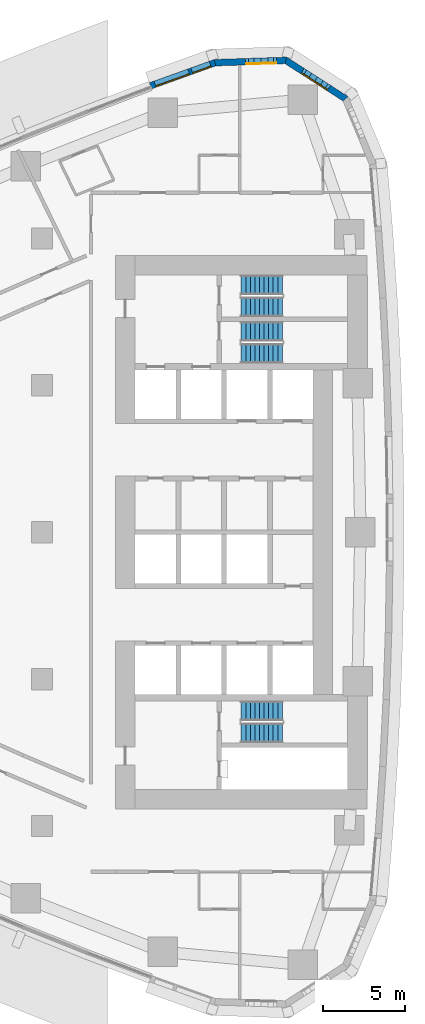
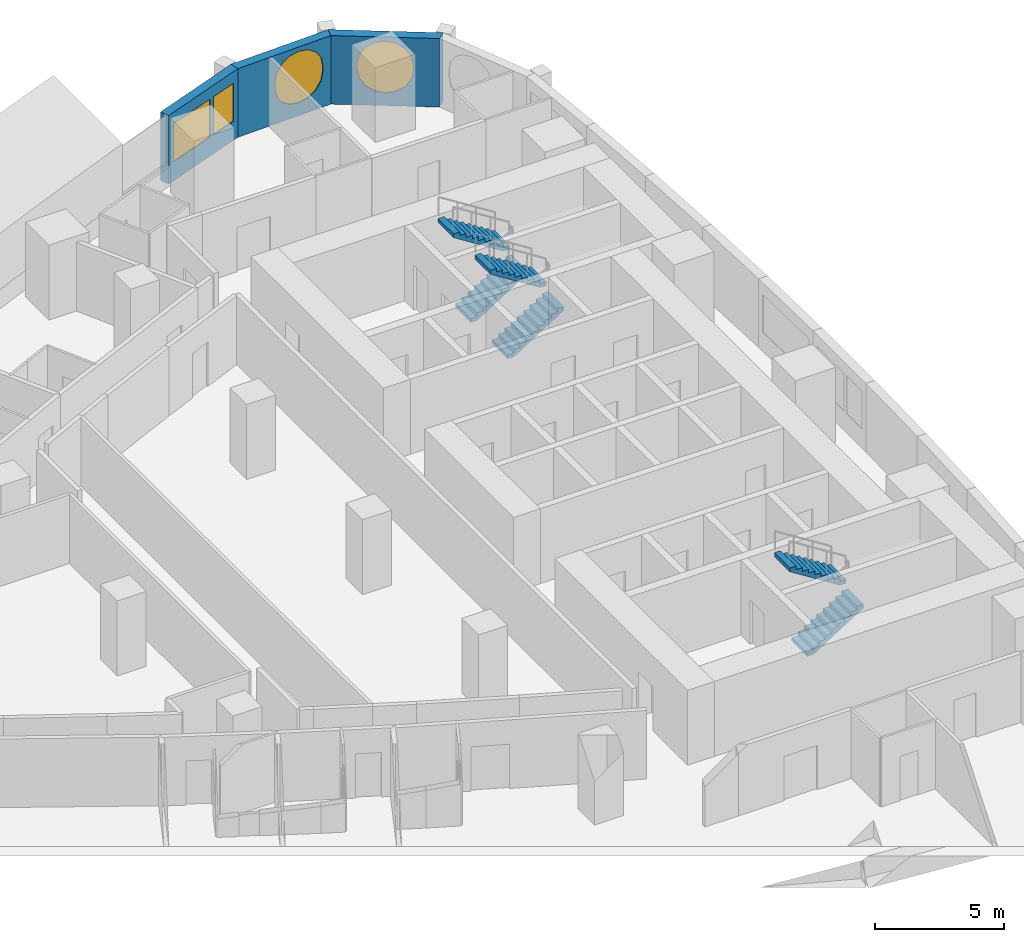
# One storey, part 14 of 19: 6 stair flights, 4 windows, 3 walls, 4 openings, 3 elements without a shape of their own.
"""IFC4 building model written with IfcOpenShell, lengths in metres."""

from ifc_helpers import new_model, si_unit, direction, frame, frame_2d, origin, place, context, subcontext, project, spatial, polyline, rectangle, outline, extrude, material, layer, layer_set, type_object, element, fill, aggregate, save


model = new_model("IFC4")

# Units and contexts
model_context = context("Model", 3, precision=1e-05, world=origin(), true_north=direction((0.0, 1.0)))
body_context = subcontext(model_context, "Body", "Model", "MODEL_VIEW")
ifc_project = project(units=[si_unit("LENGTHUNIT", "METRE"), si_unit("AREAUNIT", "SQUARE_METRE"), si_unit("VOLUMEUNIT", "CUBIC_METRE"), si_unit("PLANEANGLEUNIT", "RADIAN"), si_unit("MASSUNIT", "GRAM", prefix="KILO")], contexts=[model_context])

# Site, building, storey
site_placement = place(None, origin())
site = spatial("IfcSite", under=ifc_project, at=site_placement, CompositionType="ELEMENT")
building_placement = place(site_placement, origin())
building = spatial("IfcBuilding", under=site, at=building_placement, Name="Ostrand Prow Hotel Tower", CompositionType="ELEMENT")
storey_placement = place(building_placement, frame((0.0, 0.0, 39.60009765625)))
storey = spatial("IfcBuildingStorey", under=building, at=storey_placement, Name="L07", CompositionType="ELEMENT", Elevation=39.60009765625)

# Wall, opening, window
ifc_material_1 = material(Name="Precast concrete C40/50", Category="concrete")
ifc_layer = layer(ifc_material_1, 0.39990234375)
ifc_layer_set = layer_set([ifc_layer], Name="Precast concrete C40/50")
wall_type = type_object("IfcWallType", Name="Stone-faced precast wall 400 mm", PredefinedType="NOTDEFINED", material=ifc_layer_set)
wall_1_placement = place(storey_placement, frame((63.58837890625, 26.55810546875, 0.0), z_axis=(0.0, 0.0, 1.0), x_axis=(-0.840937468718, 0.541132307025, 0.0)))
wall_1 = element("IfcWall", 1, at=wall_1_placement, inside=storey, type_object=wall_type, Name="Stone-faced wall back 17", PredefinedType="NOTDEFINED", context=body_context, shape_type="SweptSolid", body=[
    extrude(outline(polyline([(-0.0625, -0.199951171875), (4.40869140625, -0.199951171875), (4.28369140625, 0.199951171875), (0.0625, 0.199951171875), (-0.0625, -0.199951171875)])), origin(), (0.0, 0.0, 1.0), 3.25),
])
opening_1_placement = place(wall_1_placement, frame((1.072998046875, 0.0, 0.60009765625)))
opening_1 = element("IfcOpeningElement", 2, at=opening_1_placement, cuts=wall_1, Name="Opening WP1", PredefinedType="OPENING", context=body_context, shape_type="SweptSolid", body=[
    extrude(outline(polyline([(0.0, 1.35009765625), (0.083740234375, 1.77099609375), (0.322265625, 2.127685546875), (0.678955078125, 2.3662109375), (1.10009765625, 2.449951171875), (1.52099609375, 2.3662109375), (1.877685546875, 2.127685546875), (2.1162109375, 1.77099609375), (2.199951171875, 1.35009765625), (2.199951171875, 1.10009765625), (2.1162109375, 0.678955078125), (1.877685546875, 0.322265625), (1.52099609375, 0.083740234375), (1.10009765625, 0.0), (0.678955078125, 0.083740234375), (0.322265625, 0.322265625), (0.083740234375, 0.678955078125), (0.0, 1.099853515625), (0.0, 1.35009765625)])), frame((0.0, 0.2099609375, 0.0), z_axis=(0.0, -1.0, 0.0), x_axis=(1.0, 0.0, 0.0)), (0.0, 0.0, 1.0), 0.419921875),
])
ifc_material_2 = material(Name="Insulated glass in bronze frame", Category="glass")
window_type_1 = type_object("IfcWindowType", Name="Round-ended prow window 2200x2450", PartitioningType="SINGLE_PANEL", PredefinedType="WINDOW", material=ifc_material_2)
window_1_placement = place(opening_1_placement, origin())
window_1 = element("IfcWindow", 3, at=window_1_placement, inside=storey, type_object=window_type_1, Name="Window back 17.1", OverallHeight=2.449951171875, OverallWidth=2.199951171875, PartitioningType="SINGLE_PANEL", PredefinedType="WINDOW", context=body_context, shape_type="SweptSolid", body=[
    extrude(outline(polyline([(0.0, 1.35009765625), (0.083740234375, 1.77099609375), (0.322265625, 2.127685546875), (0.678955078125, 2.3662109375), (1.10009765625, 2.449951171875), (1.52099609375, 2.3662109375), (1.877685546875, 2.127685546875), (2.1162109375, 1.77099609375), (2.199951171875, 1.35009765625), (2.199951171875, 1.10009765625), (2.1162109375, 0.678955078125), (1.877685546875, 0.322265625), (1.52099609375, 0.083740234375), (1.10009765625, 0.0), (0.678955078125, 0.083740234375), (0.322265625, 0.322265625), (0.083740234375, 0.678955078125), (0.0, 1.099853515625), (0.0, 1.35009765625)])), frame((0.0, 0.169921875, 0.0), z_axis=(0.0, -1.0, 0.0), x_axis=(1.0, 0.0, 0.0)), (0.0, 0.0, 1.0), 0.06005859375),
])
fill(opening_1, window_1)

wall_2_placement = place(storey_placement, frame((59.93359375, 28.909912109375, 0.0), z_axis=(0.0, 0.0, 1.0), x_axis=(-0.999463576228, -0.032749958686, 0.0)))
wall_2 = element("IfcWall", 4, at=wall_2_placement, inside=storey, type_object=wall_type, Name="Stone-faced wall back 18", PredefinedType="NOTDEFINED", context=body_context, shape_type="SweptSolid", body=[
    extrude(outline(polyline([(-0.0625, -0.199951171875), (4.377685546875, -0.199951171875), (4.314697265625, 0.199951171875), (0.0625, 0.199951171875), (-0.0625, -0.199951171875)])), origin(), (0.0, 0.0, 1.0), 3.25),
])
opening_2_placement = place(wall_2_placement, frame((0.421875, 0.0, 0.60009765625)))
opening_2 = element("IfcOpeningElement", 5, at=opening_2_placement, cuts=wall_2, Name="Opening WP1", PredefinedType="OPENING", context=body_context, shape_type="SweptSolid", body=[
    extrude(outline(polyline([(0.0, 1.35009765625), (0.083740234375, 1.77099609375), (0.322265625, 2.127685546875), (0.678955078125, 2.3662109375), (1.10009765625, 2.449951171875), (1.52099609375, 2.3662109375), (1.877685546875, 2.127685546875), (2.1162109375, 1.77099609375), (2.199951171875, 1.35009765625), (2.199951171875, 1.10009765625), (2.1162109375, 0.678955078125), (1.877685546875, 0.322265625), (1.52099609375, 0.083740234375), (1.10009765625, 0.0), (0.678955078125, 0.083740234375), (0.322265625, 0.322265625), (0.083740234375, 0.678955078125), (0.0, 1.099853515625), (0.0, 1.35009765625)])), frame((0.0, 0.2099609375, 0.0), z_axis=(0.0, -1.0, 0.0), x_axis=(1.0, 0.0, 0.0)), (0.0, 0.0, 1.0), 0.419921875),
])
window_2_placement = place(opening_2_placement, origin())
window_2 = element("IfcWindow", 6, at=window_2_placement, inside=storey, type_object=window_type_1, Name="Window back 18.1", OverallHeight=2.449951171875, OverallWidth=2.199951171875, PartitioningType="SINGLE_PANEL", PredefinedType="WINDOW", context=body_context, shape_type="SweptSolid", body=[
    extrude(outline(polyline([(0.0, 1.35009765625), (0.083740234375, 1.77099609375), (0.322265625, 2.127685546875), (0.678955078125, 2.3662109375), (1.10009765625, 2.449951171875), (1.52099609375, 2.3662109375), (1.877685546875, 2.127685546875), (2.1162109375, 1.77099609375), (2.199951171875, 1.35009765625), (2.199951171875, 1.10009765625), (2.1162109375, 0.678955078125), (1.877685546875, 0.322265625), (1.52099609375, 0.083740234375), (1.10009765625, 0.0), (0.678955078125, 0.083740234375), (0.322265625, 0.322265625), (0.083740234375, 0.678955078125), (0.0, 1.099853515625), (0.0, 1.35009765625)])), frame((0.0, 0.169921875, 0.0), z_axis=(0.0, -1.0, 0.0), x_axis=(1.0, 0.0, 0.0)), (0.0, 0.0, 1.0), 0.06005859375),
])
fill(opening_2, window_2)

# Wall, openings, windows
wall_3_placement = place(storey_placement, frame((55.58984375, 28.767578125, 0.0), z_axis=(0.0, 0.0, 1.0), x_axis=(-0.941339752885, -0.337460323057, 0.0)))
wall_3 = element("IfcWall", 7, at=wall_3_placement, inside=storey, type_object=wall_type, Name="Stone-faced wall back 19", PredefinedType="NOTDEFINED", context=body_context, shape_type="SweptSolid", body=[
    extrude(outline(polyline([(-0.031494140625, -0.199951171875), (4.196044921875, -0.199951171875), (4.196044921875, 0.199951171875), (0.031494140625, 0.199951171875), (-0.031494140625, -0.199951171875)])), origin(), (0.0, 0.0, 1.0), 3.25),
])
opening_3_placement = place(wall_3_placement, frame((0.298095703125, 0.0, 0.89990234375)))
opening_3 = element("IfcOpeningElement", 8, at=opening_3_placement, cuts=wall_3, Name="Opening WS4", PredefinedType="OPENING", context=body_context, shape_type="SweptSolid", body=[
    extrude(rectangle(XDim=1.199951171875, YDim=1.800048828125, at=frame_2d((0.60009765625, 0.89990234375))), frame((0.0, 0.2099609375, 0.0), z_axis=(0.0, -1.0, 0.0), x_axis=(1.0, 0.0, 0.0)), (0.0, 0.0, 1.0), 0.419921875),
])
opening_4_placement = place(wall_3_placement, frame((1.697998046875, 0.0, 0.89990234375)))
opening_4 = element("IfcOpeningElement", 9, at=opening_4_placement, cuts=wall_3, Name="Opening WS5-22", PredefinedType="OPENING", context=body_context, shape_type="SweptSolid", body=[
    extrude(rectangle(XDim=2.199951171875, YDim=1.800048828125, at=frame_2d((1.10009765625, 0.89990234375))), frame((0.0, 0.2099609375, 0.0), z_axis=(0.0, -1.0, 0.0), x_axis=(1.0, 0.0, 0.0)), (0.0, 0.0, 1.0), 0.419921875),
])
ifc_material_3 = material(Name="Insulated glass in bronze frame", Category="glass")
window_type_2 = type_object("IfcWindowType", Name="Fixed strip window 2200x1800", PartitioningType="SINGLE_PANEL", PredefinedType="WINDOW", material=ifc_material_3)
window_3_placement = place(opening_4_placement, origin())
window_3 = element("IfcWindow", 10, at=window_3_placement, inside=storey, type_object=window_type_2, Name="Window back 19.2", OverallHeight=1.800048828125, OverallWidth=2.199951171875, PartitioningType="SINGLE_PANEL", PredefinedType="WINDOW", context=body_context, shape_type="SweptSolid", body=[
    extrude(rectangle(XDim=2.199951171875, YDim=1.800048828125, at=frame_2d((1.10009765625, 0.89990234375))), frame((0.0, 0.169921875, 0.0), z_axis=(0.0, -1.0, 0.0), x_axis=(1.0, 0.0, 0.0)), (0.0, 0.0, 1.0), 0.06005859375),
])
fill(opening_4, window_3)
ifc_material_4 = material(Name="Insulated glass in bronze frame", Category="glass")
window_type_3 = type_object("IfcWindowType", Name="Operable strip panel 1200x1800", PartitioningType="SINGLE_PANEL", PredefinedType="WINDOW", material=ifc_material_4)
window_4_placement = place(opening_3_placement, origin())
window_4 = element("IfcWindow", 11, at=window_4_placement, inside=storey, type_object=window_type_3, Name="Window back 19.1", OverallHeight=1.800048828125, OverallWidth=1.199951171875, PartitioningType="SINGLE_PANEL", PredefinedType="WINDOW", context=body_context, shape_type="SweptSolid", body=[
    extrude(rectangle(XDim=1.199951171875, YDim=1.800048828125, at=frame_2d((0.60009765625, 0.89990234375))), frame((0.0, 0.169921875, 0.0), z_axis=(0.0, -1.0, 0.0), x_axis=(1.0, 0.0, 0.0)), (0.0, 0.0, 1.0), 0.06005859375),
])
fill(opening_3, window_4)

# Stair, stair flights
ifc_material_5 = material(Name="Concrete C40/50", Category="concrete")
stair_type = type_object("IfcStairType", Name="Exit stair 1200 upper zone", PredefinedType="HALF_TURN_STAIR", material=ifc_material_5)
stair_1_placement = place(storey_placement, origin())
stair_1 = element("IfcStair", 12, at=stair_1_placement, inside=storey, type_object=stair_type, Name="L07 ST1C", PredefinedType="HALF_TURN_STAIR")
ifc_material_6 = material(Name="Concrete C40/50", Category="concrete")
stair_flight_type = type_object("IfcStairFlightType", Name="Stair flight 1200 concrete", PredefinedType="STRAIGHT", material=ifc_material_6)
stair_flight_1_placement = place(storey_placement, frame((57.199951171875, 10.949951171875, 0.0), z_axis=(0.0, 0.0, 1.0), x_axis=(1.0, 0.0, 0.0)))
stair_flight_1 = element("IfcStairFlight", 13, at=stair_flight_1_placement, type_object=stair_flight_type, Name="ST1C flight 1", NumberOfRisers=10, NumberOfTreads=9, PredefinedType="STRAIGHT", RiserHeight=0.1775, TreadLength=0.28, context=body_context, shape_type="SweptSolid", body=[
    extrude(outline(polyline([(0.0, 0.0), (0.0, 0.177490234375), (0.280029296875, 0.177490234375), (0.280029296875, 0.35498046875), (0.56005859375, 0.35498046875), (0.56005859375, 0.532470703125), (0.840087890625, 0.532470703125), (0.840087890625, 0.7099609375), (1.1201171875, 0.7099609375), (1.1201171875, 0.887451171875), (1.39990234375, 0.887451171875), (1.39990234375, 1.06494140625), (1.679931640625, 1.06494140625), (1.679931640625, 1.242431640625), (1.9599609375, 1.242431640625), (1.9599609375, 1.419921875), (2.239990234375, 1.419921875), (2.239990234375, 1.597412109375), (2.52001953125, 1.597412109375), (2.52001953125, 1.77490234375), (2.52001953125, 1.419921875), (0.280029296875, 0.0), (0.0, 0.0)])), frame((0.0, 0.60009765625, 0.0), z_axis=(0.0, -1.0, 0.0), x_axis=(1.0, 0.0, 0.0)), (0.0, 0.0, 1.0), 1.199951171875),
])
stair_flight_2_placement = place(storey_placement, frame((59.719970703125, 12.300048828125, 1.77490234375), z_axis=(0.0, 0.0, 1.0), x_axis=(-1.0, 0.0, 0.0)))
stair_flight_2 = element("IfcStairFlight", 14, at=stair_flight_2_placement, type_object=stair_flight_type, Name="ST1C flight 2", NumberOfRisers=10, NumberOfTreads=9, PredefinedType="STRAIGHT", RiserHeight=0.1775, TreadLength=0.28, context=body_context, shape_type="SweptSolid", body=[
    extrude(outline(polyline([(0.0, 0.0), (0.0, 0.177490234375), (0.280029296875, 0.177490234375), (0.280029296875, 0.35498046875), (0.56005859375, 0.35498046875), (0.56005859375, 0.532470703125), (0.840087890625, 0.532470703125), (0.840087890625, 0.7099609375), (1.1201171875, 0.7099609375), (1.1201171875, 0.887451171875), (1.39990234375, 0.887451171875), (1.39990234375, 1.06494140625), (1.679931640625, 1.06494140625), (1.679931640625, 1.242431640625), (1.9599609375, 1.242431640625), (1.9599609375, 1.419921875), (2.239990234375, 1.419921875), (2.239990234375, 1.597412109375), (2.52001953125, 1.597412109375), (2.52001953125, 1.77490234375), (2.52001953125, 1.419921875), (0.280029296875, 0.0), (0.0, 0.0)])), frame((0.0, 0.60009765625, 0.0), z_axis=(0.0, -1.0, 0.0), x_axis=(1.0, 0.0, 0.0)), (0.0, 0.0, 1.0), 1.199951171875),
])
aggregate(stair_1, [stair_flight_1, stair_flight_2])

stair_2_placement = place(storey_placement, origin())
stair_2 = element("IfcStair", 15, at=stair_2_placement, inside=storey, type_object=stair_type, Name="L07 ST3C", PredefinedType="HALF_TURN_STAIR")
stair_flight_3_placement = place(storey_placement, frame((57.199951171875, 13.800048828125, 0.0), z_axis=(0.0, 0.0, 1.0), x_axis=(1.0, 0.0, 0.0)))
stair_flight_3 = element("IfcStairFlight", 16, at=stair_flight_3_placement, type_object=stair_flight_type, Name="ST3C flight 1", NumberOfRisers=10, NumberOfTreads=9, PredefinedType="STRAIGHT", RiserHeight=0.1775, TreadLength=0.28, context=body_context, shape_type="SweptSolid", body=[
    extrude(outline(polyline([(0.0, 0.0), (0.0, 0.177490234375), (0.280029296875, 0.177490234375), (0.280029296875, 0.35498046875), (0.56005859375, 0.35498046875), (0.56005859375, 0.532470703125), (0.840087890625, 0.532470703125), (0.840087890625, 0.7099609375), (1.1201171875, 0.7099609375), (1.1201171875, 0.887451171875), (1.39990234375, 0.887451171875), (1.39990234375, 1.06494140625), (1.679931640625, 1.06494140625), (1.679931640625, 1.242431640625), (1.9599609375, 1.242431640625), (1.9599609375, 1.419921875), (2.239990234375, 1.419921875), (2.239990234375, 1.597412109375), (2.52001953125, 1.597412109375), (2.52001953125, 1.77490234375), (2.52001953125, 1.419921875), (0.280029296875, 0.0), (0.0, 0.0)])), frame((0.0, 0.60009765625, 0.0), z_axis=(0.0, -1.0, 0.0), x_axis=(1.0, 0.0, 0.0)), (0.0, 0.0, 1.0), 1.199951171875),
])
stair_flight_4_placement = place(storey_placement, frame((59.719970703125, 15.14990234375, 1.77490234375), z_axis=(0.0, 0.0, 1.0), x_axis=(-1.0, 0.0, 0.0)))
stair_flight_4 = element("IfcStairFlight", 17, at=stair_flight_4_placement, type_object=stair_flight_type, Name="ST3C flight 2", NumberOfRisers=10, NumberOfTreads=9, PredefinedType="STRAIGHT", RiserHeight=0.1775, TreadLength=0.28, context=body_context, shape_type="SweptSolid", body=[
    extrude(outline(polyline([(0.0, 0.0), (0.0, 0.177490234375), (0.280029296875, 0.177490234375), (0.280029296875, 0.35498046875), (0.56005859375, 0.35498046875), (0.56005859375, 0.532470703125), (0.840087890625, 0.532470703125), (0.840087890625, 0.7099609375), (1.1201171875, 0.7099609375), (1.1201171875, 0.887451171875), (1.39990234375, 0.887451171875), (1.39990234375, 1.06494140625), (1.679931640625, 1.06494140625), (1.679931640625, 1.242431640625), (1.9599609375, 1.242431640625), (1.9599609375, 1.419921875), (2.239990234375, 1.419921875), (2.239990234375, 1.597412109375), (2.52001953125, 1.597412109375), (2.52001953125, 1.77490234375), (2.52001953125, 1.419921875), (0.280029296875, 0.0), (0.0, 0.0)])), frame((0.0, 0.60009765625, 0.0), z_axis=(0.0, -1.0, 0.0), x_axis=(1.0, 0.0, 0.0)), (0.0, 0.0, 1.0), 1.199951171875),
])
aggregate(stair_2, [stair_flight_3, stair_flight_4])

stair_3_placement = place(storey_placement, origin())
stair_3 = element("IfcStair", 18, at=stair_3_placement, inside=storey, type_object=stair_type, Name="L07 ST2C", PredefinedType="HALF_TURN_STAIR")
stair_flight_5_placement = place(storey_placement, frame((57.199951171875, -12.300048828125, 0.0), z_axis=(0.0, 0.0, 1.0), x_axis=(1.0, 0.0, 0.0)))
stair_flight_5 = element("IfcStairFlight", 19, at=stair_flight_5_placement, type_object=stair_flight_type, Name="ST2C flight 1", NumberOfRisers=10, NumberOfTreads=9, PredefinedType="STRAIGHT", RiserHeight=0.1775, TreadLength=0.28, context=body_context, shape_type="SweptSolid", body=[
    extrude(outline(polyline([(0.0, 0.0), (0.0, 0.177490234375), (0.280029296875, 0.177490234375), (0.280029296875, 0.35498046875), (0.56005859375, 0.35498046875), (0.56005859375, 0.532470703125), (0.840087890625, 0.532470703125), (0.840087890625, 0.7099609375), (1.1201171875, 0.7099609375), (1.1201171875, 0.887451171875), (1.39990234375, 0.887451171875), (1.39990234375, 1.06494140625), (1.679931640625, 1.06494140625), (1.679931640625, 1.242431640625), (1.9599609375, 1.242431640625), (1.9599609375, 1.419921875), (2.239990234375, 1.419921875), (2.239990234375, 1.597412109375), (2.52001953125, 1.597412109375), (2.52001953125, 1.77490234375), (2.52001953125, 1.419921875), (0.280029296875, 0.0), (0.0, 0.0)])), frame((0.0, 0.60009765625, 0.0), z_axis=(0.0, -1.0, 0.0), x_axis=(1.0, 0.0, 0.0)), (0.0, 0.0, 1.0), 1.199951171875),
])
stair_flight_6_placement = place(storey_placement, frame((59.719970703125, -10.949951171875, 1.77490234375), z_axis=(0.0, 0.0, 1.0), x_axis=(-1.0, 0.0, 0.0)))
stair_flight_6 = element("IfcStairFlight", 20, at=stair_flight_6_placement, type_object=stair_flight_type, Name="ST2C flight 2", NumberOfRisers=10, NumberOfTreads=9, PredefinedType="STRAIGHT", RiserHeight=0.1775, TreadLength=0.28, context=body_context, shape_type="SweptSolid", body=[
    extrude(outline(polyline([(0.0, 0.0), (0.0, 0.177490234375), (0.280029296875, 0.177490234375), (0.280029296875, 0.35498046875), (0.56005859375, 0.35498046875), (0.56005859375, 0.532470703125), (0.840087890625, 0.532470703125), (0.840087890625, 0.7099609375), (1.1201171875, 0.7099609375), (1.1201171875, 0.887451171875), (1.39990234375, 0.887451171875), (1.39990234375, 1.06494140625), (1.679931640625, 1.06494140625), (1.679931640625, 1.242431640625), (1.9599609375, 1.242431640625), (1.9599609375, 1.419921875), (2.239990234375, 1.419921875), (2.239990234375, 1.597412109375), (2.52001953125, 1.597412109375), (2.52001953125, 1.77490234375), (2.52001953125, 1.419921875), (0.280029296875, 0.0), (0.0, 0.0)])), frame((0.0, 0.60009765625, 0.0), z_axis=(0.0, -1.0, 0.0), x_axis=(1.0, 0.0, 0.0)), (0.0, 0.0, 1.0), 1.199951171875),
])
aggregate(stair_3, [stair_flight_5, stair_flight_6])

save(model, "model.ifc")
